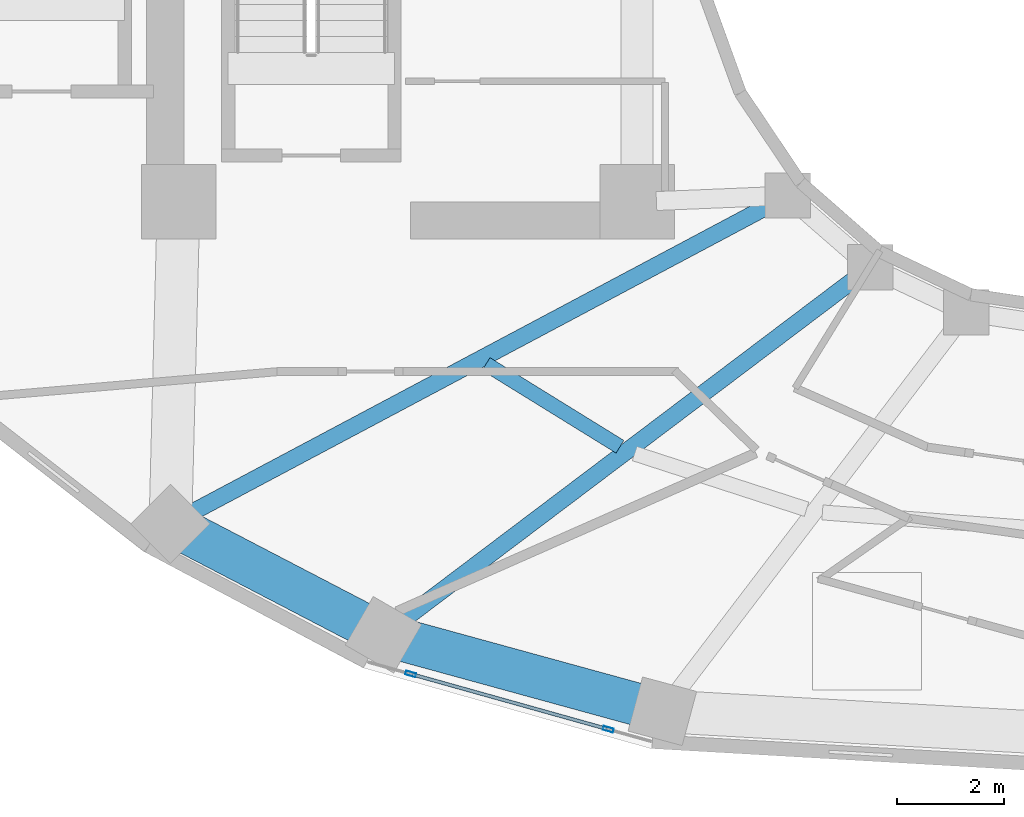
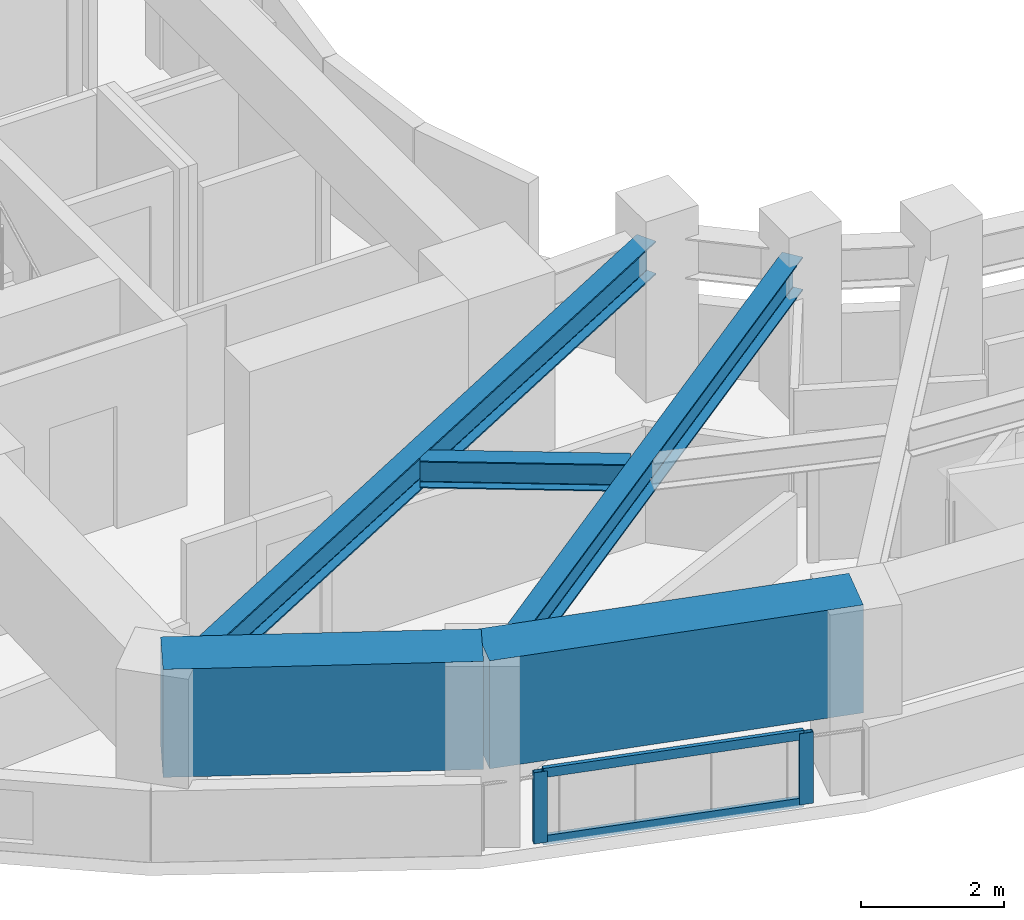
# One storey, part 2 of 16: 5 beams, 4 members, 1 element without a shape of its own.
"""IFC4 building model written with IfcOpenShell, lengths in metres."""

from ifc_helpers import new_model, si_unit, direction, frame, origin, origin_2d, place, context, subcontext, project, spatial, rectangle, hollow_rectangle, i_section, extrude, material, layer, layer_set, material_profile, profile_set, type_object, element, aggregate, save


model = new_model("IFC4")

# Units and contexts
model_context = context("Model", 3, precision=1e-05, world=origin(), true_north=direction((0.0, 1.0)))
body_context = subcontext(model_context, "Body", "Model", "MODEL_VIEW")
ifc_project = project(units=[si_unit("LENGTHUNIT", "METRE"), si_unit("AREAUNIT", "SQUARE_METRE"), si_unit("VOLUMEUNIT", "CUBIC_METRE"), si_unit("PLANEANGLEUNIT", "RADIAN"), si_unit("MASSUNIT", "GRAM", prefix="KILO")], contexts=[model_context])

# Site, building, storey
site_placement = place(None, origin())
site = spatial("IfcSite", under=ifc_project, at=site_placement, CompositionType="ELEMENT")
building_placement = place(site_placement, origin())
building = spatial("IfcBuilding", under=site, at=building_placement, Name="Solvane Sanctuary Tower", CompositionType="ELEMENT")
storey_placement = place(building_placement, frame((0.0, 0.0, 119.699951171875)))
storey = spatial("IfcBuildingStorey", under=building, at=storey_placement, Name="L36", CompositionType="ELEMENT", Elevation=119.699951171875)

# Beams
ifc_material_1 = material(Name="Steel ASTM A992 Grade 50", Category="steel")
ifc_material_profile_1 = material_profile(ifc_material_1, i_section(OverallWidth=0.31494140625, OverallDepth=0.575927734375, WebThickness=0.01513671875, FlangeThickness=0.0244140625, FilletRadius=0.014892578125, at=origin_2d()), Name="W21X122")
ifc_profile_set_1 = profile_set([ifc_material_profile_1], Name="Steel ASTM A992 Grade 50")
beam_type_1 = type_object("IfcBeamType", Name="Beam B-RAD-Z2 W21X122", PredefinedType="BEAM", material=ifc_profile_set_1)
beam_1_placement = place(storey_placement, frame((26.477783203125, 16.886474609375, 2.31005859375), z_axis=(-0.882951984843, -0.469463302572, 0.0), x_axis=(0.469463302572, -0.882951984843, 0.0)))
element("IfcBeam", 1, at=beam_1_placement, inside=storey, type_object=beam_type_1, Name="L36 Radial Composite Floor Beam 08", PredefinedType="BEAM", context=body_context, shape_type="SweptSolid", body=[
    extrude(i_section(OverallWidth=0.31494140625, OverallDepth=0.575927734375, WebThickness=0.01513671875, FlangeThickness=0.0244140625, FilletRadius=0.014892578125, at=origin_2d()), origin(), (0.0, 0.0, 1.0), 12.552734375),
])
beam_2_placement = place(storey_placement, frame((28.04638671875, 15.504638671875, 2.31005859375), z_axis=(-0.798116040134, -0.602503764703, 0.0), x_axis=(0.602503764703, -0.798116040134, 0.0)))
element("IfcBeam", 2, at=beam_2_placement, inside=storey, type_object=beam_type_1, Name="L36 Radial Composite Floor Beam 09", PredefinedType="BEAM", context=body_context, shape_type="SweptSolid", body=[
    extrude(i_section(OverallWidth=0.31494140625, OverallDepth=0.575927734375, WebThickness=0.01513671875, FlangeThickness=0.0244140625, FilletRadius=0.014892578125, at=origin_2d()), origin(), (0.0, 0.0, 1.0), 10.876953125),
])
ifc_material_profile_2 = material_profile(ifc_material_1, i_section(OverallWidth=0.280029296875, OverallDepth=0.462890625, WebThickness=0.0107421875, FlangeThickness=0.017333984375, FilletRadius=0.013916015625, at=origin_2d()), Name="W18X76")
ifc_profile_set_2 = profile_set([ifc_material_profile_2], Name="Steel ASTM A992 Grade 50")
beam_type_2 = type_object("IfcBeamType", Name="Beam B-SEC-JOIST W18X76", PredefinedType="JOIST", material=ifc_profile_set_2)
beam_3_placement = place(storey_placement, frame((21.065673828125, 13.859619140625, 2.366455078125), z_axis=(0.85065981691, -0.525716535687, 0.0), x_axis=(0.525716535687, 0.85065981691, 0.0)))
element("IfcBeam", 3, at=beam_3_placement, inside=storey, type_object=beam_type_2, Name="L36 Secondary Circumferential Joist 08-09", PredefinedType="JOIST", context=body_context, shape_type="SweptSolid", body=[
    extrude(i_section(OverallWidth=0.280029296875, OverallDepth=0.462890625, WebThickness=0.0107421875, FlangeThickness=0.017333984375, FilletRadius=0.013916015625, at=origin_2d()), origin(), (0.0, 0.0, 1.0), 2.951171875),
])
ifc_material_2 = material(Name="Concrete C70/85", Category="concrete")
ifc_material_profile_3 = material_profile(ifc_material_2, rectangle(XDim=0.800048828125, YDim=1.85009765625, at=origin_2d()), Name="RC800X1850")
ifc_profile_set_3 = profile_set([ifc_material_profile_3], Name="Concrete C70/85")
beam_type_3 = type_object("IfcBeamType", Name="Beam B-XFER-BLK RC800X1850", PredefinedType="BEAM", material=ifc_profile_set_3)
beam_4_placement = place(storey_placement, frame((15.14697265625, 10.86181640625, 2.175048828125), z_axis=(0.887022336415, -0.46172651505, 0.0), x_axis=(0.46172651505, 0.887022336415, 0.0)))
element("IfcBeam", 4, at=beam_4_placement, inside=storey, type_object=beam_type_3, Name="L36 Perimeter Step Transfer Ring NTC08-NTC09", PredefinedType="BEAM", context=body_context, shape_type="SweptSolid", body=[
    extrude(rectangle(XDim=0.800048828125, YDim=1.85009765625, at=origin_2d()), origin(), (0.0, 0.0, 1.0), 4.50341796875),
])
beam_5_placement = place(storey_placement, frame((19.1416015625, 8.782470703125, 2.175048828125), z_axis=(0.964365802426, -0.264572483661, 0.0), x_axis=(0.264572483661, 0.964365802426, 0.0)))
element("IfcBeam", 5, at=beam_5_placement, inside=storey, type_object=beam_type_3, Name="L36 Perimeter Step Transfer Ring NTC09-NTC10", PredefinedType="BEAM", context=body_context, shape_type="SweptSolid", body=[
    extrude(rectangle(XDim=0.800048828125, YDim=1.85009765625, at=origin_2d()), origin(), (0.0, 0.0, 1.0), 5.422119140625),
])

# Curtain wall, members
ifc_material_3 = material(Name="Anodised Aluminium 6063-T6", Category="aluminium")
ifc_layer = layer(ifc_material_3, 0.179931640625, Name="Anodised Aluminium 6063-T6")
ifc_layer_set = layer_set([ifc_layer], Name="Anodised Aluminium 6063-T6")
curtain_wall_type = type_object("IfcCurtainWallType", Name="Curtain Wall CW-FRIT-Z2", PredefinedType="NOTDEFINED", material=ifc_layer_set)
curtain_wall_placement = place(storey_placement, origin())
curtain_wall = element("IfcCurtainWall", 6, at=curtain_wall_placement, inside=storey, type_object=curtain_wall_type, Name="L36 CW-FRIT-Z2 Facade Run 16", PredefinedType="NOTDEFINED")
ifc_material_profile_4 = material_profile(ifc_material_3, hollow_rectangle(XDim=0.074951171875, YDim=0.199951171875, WallThickness=0.00390625, at=origin_2d()), Name="ALU200X75X4")
ifc_profile_set_4 = profile_set([ifc_material_profile_4], Name="Anodised Aluminium 6063-T6")
member_type_1 = type_object("IfcMemberType", Name="Member M-CW-MUL-1 ALU200X75X4", PredefinedType="MULLION", material=ifc_profile_set_4)
member_1_placement = place(storey_placement, frame((19.65234375, 8.047607421875, 0.0), z_axis=(0.0, 0.0, 1.0), x_axis=(0.269704615814, 0.962943103308, 0.0)))
member_1 = element("IfcMember", 7, at=member_1_placement, type_object=member_type_1, Name="CW-FRIT-Z2 mullion 1", PredefinedType="MULLION", context=body_context, shape_type="SweptSolid", body=[
    extrude(hollow_rectangle(XDim=0.074951171875, YDim=0.199951171875, WallThickness=0.00390625, at=origin_2d()), origin(), (0.0, 0.0, 1.0), 1.219970703125),
])
member_2_placement = place(storey_placement, frame((23.35791015625, 7.009521484375, 0.0), z_axis=(0.0, 0.0, 1.0), x_axis=(0.269704615814, 0.962943103308, 0.0)))
member_2 = element("IfcMember", 8, at=member_2_placement, type_object=member_type_1, Name="CW-FRIT-Z2 mullion 2", PredefinedType="MULLION", context=body_context, shape_type="SweptSolid", body=[
    extrude(hollow_rectangle(XDim=0.074951171875, YDim=0.199951171875, WallThickness=0.00390625, at=origin_2d()), origin(), (0.0, 0.0, 1.0), 1.219970703125),
])
ifc_material_profile_5 = material_profile(ifc_material_3, hollow_rectangle(XDim=0.06494140625, YDim=0.159912109375, WallThickness=0.00341796875, at=origin_2d()), Name="ALU160X65X3.5")
ifc_profile_set_5 = profile_set([ifc_material_profile_5], Name="Anodised Aluminium 6063-T6")
member_type_2 = type_object("IfcMemberType", Name="Member M-CW-TRN-1 ALU160X65X3.5", PredefinedType="USERDEFINED", material=ifc_profile_set_5)
member_3_placement = place(storey_placement, frame((19.6884765625, 8.037353515625, 0.032470703125), z_axis=(0.9629465453, -0.269692326355, 0.0), x_axis=(0.269692326355, 0.9629465453, 0.0)))
member_3 = element("IfcMember", 9, at=member_3_placement, type_object=member_type_2, Name="CW-FRIT-Z2 transom 1.1", ObjectType="TRANSOM", PredefinedType="USERDEFINED", context=body_context, shape_type="SweptSolid", body=[
    extrude(hollow_rectangle(XDim=0.06494140625, YDim=0.159912109375, WallThickness=0.00341796875, at=origin_2d()), origin(), (0.0, 0.0, 1.0), 3.773193359375),
])
member_4_placement = place(storey_placement, frame((19.6884765625, 8.037353515625, 1.1875), z_axis=(0.9629465453, -0.269692326355, 0.0), x_axis=(0.269692326355, 0.9629465453, 0.0)))
member_4 = element("IfcMember", 10, at=member_4_placement, type_object=member_type_2, Name="CW-FRIT-Z2 transom 1.2", ObjectType="TRANSOM", PredefinedType="USERDEFINED", context=body_context, shape_type="SweptSolid", body=[
    extrude(hollow_rectangle(XDim=0.06494140625, YDim=0.159912109375, WallThickness=0.00341796875, at=origin_2d()), origin(), (0.0, 0.0, 1.0), 3.773193359375),
])
aggregate(curtain_wall, [member_1, member_2, member_3, member_4])

save(model, "model.ifc")
